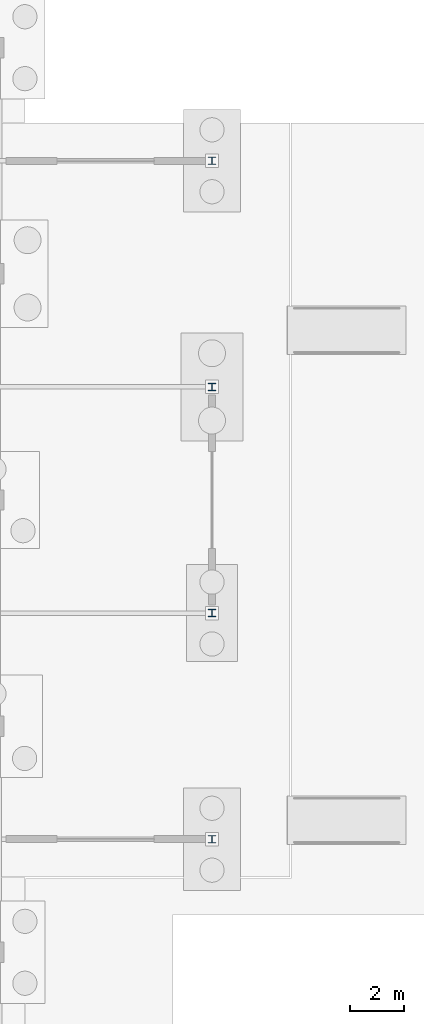
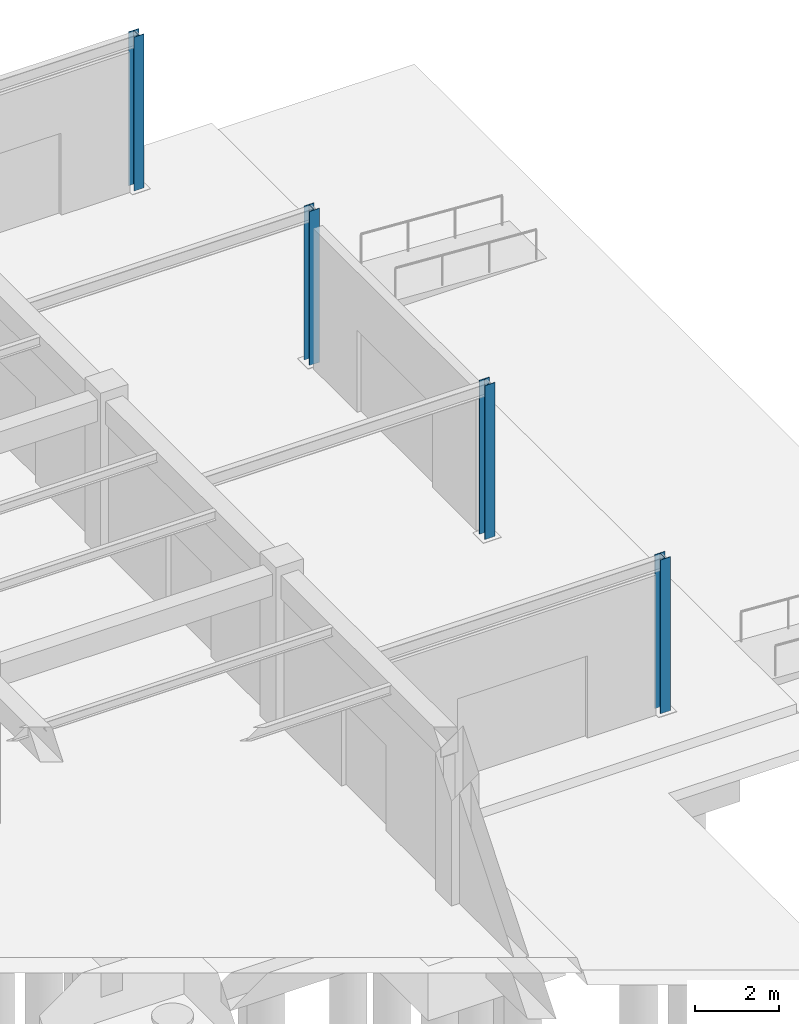
# One storey, part 47 of 192: 4 columns.
"""IFC4 building model written with IfcOpenShell, lengths in metres."""

from ifc_helpers import new_model, si_unit, direction, frame, origin, origin_2d, place, context, subcontext, project, spatial, i_section, extrude, material, material_profile, profile_set, type_object, element, save


model = new_model("IFC4")

# Units and contexts
model_context = context("Model", 3, precision=1e-05, world=origin(), true_north=direction((0.0, 1.0)))
body_context = subcontext(model_context, "Body", "Model", "MODEL_VIEW")
ifc_project = project(units=[si_unit("LENGTHUNIT", "METRE"), si_unit("AREAUNIT", "SQUARE_METRE"), si_unit("VOLUMEUNIT", "CUBIC_METRE"), si_unit("PLANEANGLEUNIT", "RADIAN"), si_unit("MASSUNIT", "GRAM", prefix="KILO")], contexts=[model_context])

# Site, building, storey
site_placement = place(None, origin())
site = spatial("IfcSite", under=ifc_project, at=site_placement, CompositionType="ELEMENT")
building_placement = place(site_placement, origin())
building = spatial("IfcBuilding", under=site, at=building_placement, Name="Trelvath General Hospital", CompositionType="ELEMENT")
storey_placement = place(building_placement, origin())
storey = spatial("IfcBuildingStorey", under=building, at=storey_placement, Name="L00", CompositionType="ELEMENT", Elevation=0.0)

# Columns
ifc_material = material(Name="Steel S355", Category="steel")
ifc_material_profile = material_profile(ifc_material, i_section(OverallWidth=0.280029296875, OverallDepth=0.27001953125, WebThickness=0.008056640625, FlangeThickness=0.012939453125, at=origin_2d()), Name="HEA280")
ifc_profile_set = profile_set([ifc_material_profile], Name="Steel S355")
column_type = type_object("IfcColumnType", Name="CanopyColumn HEA280", PredefinedType="COLUMN", material=ifc_profile_set)
for number, where, z_axis, x_axis, name in (
    (1, (192.89990234375, 88.199951171875, 0.0), (0.0, 0.0, 1.0), (1.0, 0.0, 0.0), "Ambulance Canopy Column CC-01"),
    (2, (192.89990234375, 96.60009765625, 0.0), (0.0, 0.0, 1.0), (1.0, 0.0, 0.0), "Ambulance Canopy Column CC-02"),
    (3, (192.89990234375, 105.0, 0.0), (0.0, 0.0, 1.0), (1.0, 0.0, 0.0), "Ambulance Canopy Column CC-03"),
    (4, (192.89990234375, 113.39990234375, 0.0), (0.0, 0.0, 1.0), (1.0, 0.0, 0.0), "Ambulance Canopy Column CC-04"),
):
    element("IfcColumn", number, at=place(storey_placement, frame(where, z_axis=z_axis, x_axis=x_axis)), inside=storey, type_object=column_type, Name=name, PredefinedType="COLUMN", context=body_context, shape_type="SweptSolid", body=[
        extrude(i_section(OverallWidth=0.280029296875, OverallDepth=0.27001953125, WebThickness=0.008056640625, FlangeThickness=0.012939453125, at=origin_2d()), origin(), (0.0, 0.0, 1.0), 4.5),
    ])

save(model, "model.ifc")
